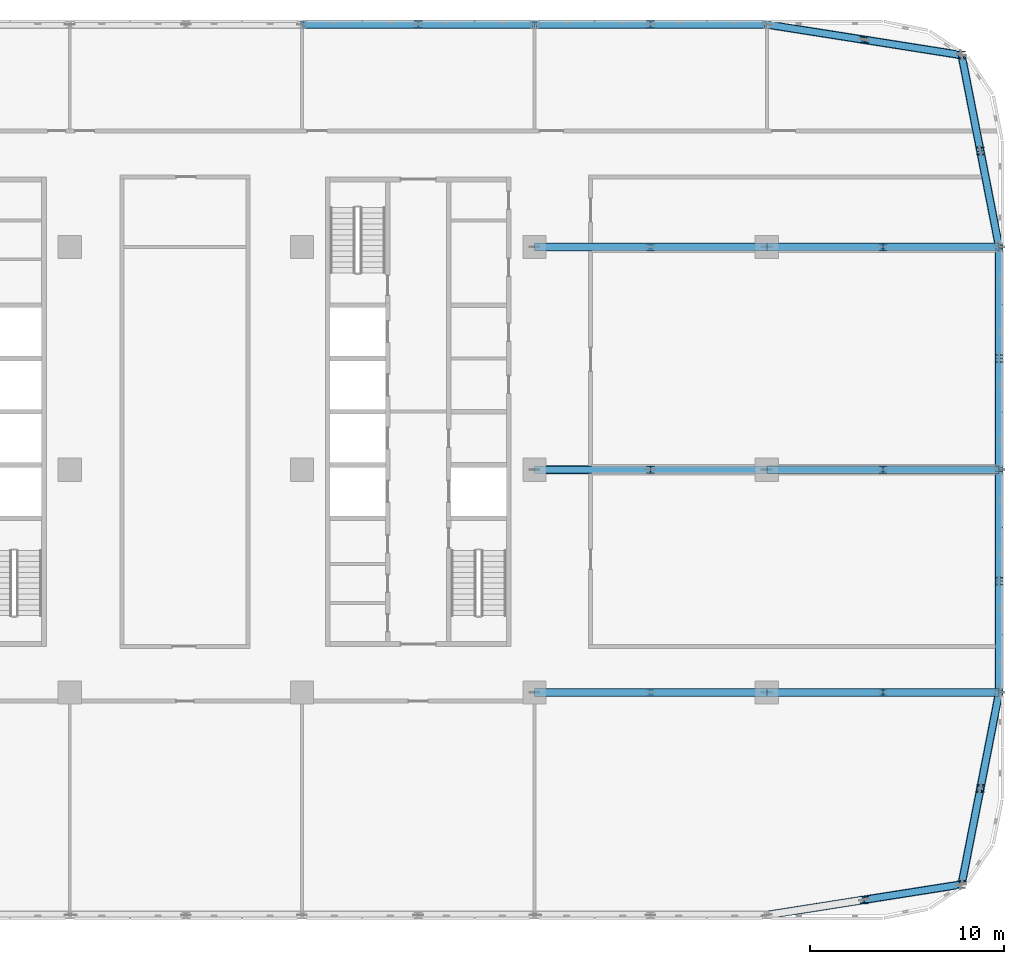
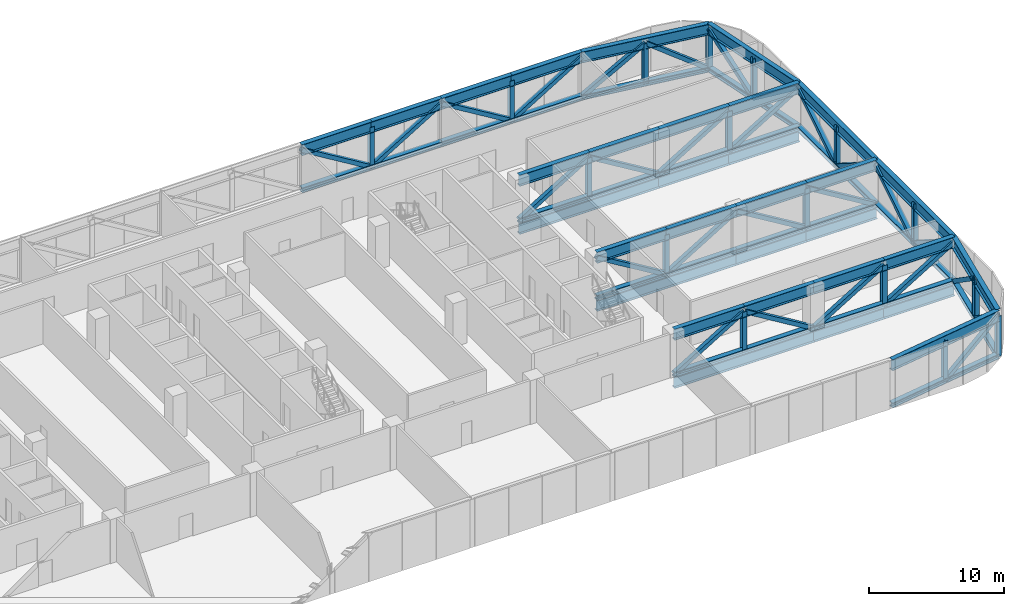
# One storey, part 7 of 26: 82 members, 9 beams.
"""IFC4 building model written with IfcOpenShell, lengths in metres."""

from ifc_helpers import new_model, si_unit, direction, frame, origin, origin_2d, place, context, subcontext, project, spatial, hollow_rectangle, i_section, extrude, material, material_profile, profile_set, type_object, element, save


model = new_model("IFC4")

# Units and contexts
model_context = context("Model", 3, precision=1e-05, world=origin(), true_north=direction((0.0, 1.0)))
body_context = subcontext(model_context, "Body", "Model", "MODEL_VIEW")
ifc_project = project(units=[si_unit("LENGTHUNIT", "METRE"), si_unit("AREAUNIT", "SQUARE_METRE"), si_unit("VOLUMEUNIT", "CUBIC_METRE"), si_unit("PLANEANGLEUNIT", "RADIAN"), si_unit("MASSUNIT", "GRAM", prefix="KILO")], contexts=[model_context])

# Site, building, storey
site_placement = place(None, origin())
site = spatial("IfcSite", under=ifc_project, at=site_placement, CompositionType="ELEMENT")
building_placement = place(site_placement, origin())
building = spatial("IfcBuilding", under=site, at=building_placement, Name="Mahtab Terrace Research Tower", CompositionType="ELEMENT")
storey_placement = place(building_placement, frame((0.0, 0.0, 189.60009765625)))
storey = spatial("IfcBuildingStorey", under=building, at=storey_placement, Name="L45", CompositionType="ELEMENT", Elevation=189.60009765625)

# Members
ifc_material_1 = material(Name="Steel ASTM A500 Gr C", Category="steel")
ifc_material_profile_1 = material_profile(ifc_material_1, hollow_rectangle(XDim=0.355712890625, YDim=0.355712890625, WallThickness=0.015869140625, at=origin_2d()), Name="HSS14X14X5/8")
ifc_profile_set_1 = profile_set([ifc_material_profile_1], Name="Steel ASTM A500 Gr C")
member_type_1 = type_object("IfcMemberType", Name="HSS 14x14x5/8 brace TD141458", PredefinedType="BRACE", material=ifc_profile_set_1)
for number, where, z_axis, x_axis, name in (
    (1, (24.0, 23.0, -0.177734375), (-0.855144546512, 0.0, 0.518389626218), (0.0, -1.0, 0.0), "Transfer truss T5 diagonal 051"),
    (2, (30.0, -11.5, -0.177734375), (0.855144546512, 0.0, 0.518389626218), (0.0, 1.0, 0.0), "Transfer truss T5 diagonal 053"),
    (3, (36.0, 0.0, -0.177734375), (-0.855144546512, 0.0, 0.518389626218), (0.0, -1.0, 0.0), "Transfer truss T5 diagonal 054"),
    (4, (30.0, 11.5, -0.177734375), (0.855144546512, 0.0, 0.518389626218), (0.0, 1.0, 0.0), "Transfer truss T5 diagonal 055"),
    (5, (24.0, 23.0, -0.177734375), (0.855144546512, 0.0, 0.518389626218), (0.0, 1.0, 0.0), "Transfer truss T5 diagonal 056"),
    (6, (42.0, -11.5, -0.177734375), (-0.855144546512, 0.0, 0.518389626218), (0.0, -1.0, 0.0), "Transfer truss T5 diagonal 058"),
    (7, (36.0, 0.0, -0.177734375), (0.855144546512, 0.0, 0.518389626218), (0.0, 1.0, 0.0), "Transfer truss T5 diagonal 059"),
    (8, (42.0, 11.5, -0.177734375), (-0.855144546512, 0.0, 0.518389626218), (0.0, -1.0, 0.0), "Transfer truss T5 diagonal 060"),
    (9, (36.0, 23.0, -0.177734375), (-0.855144546512, 0.0, 0.518389626218), (0.0, -1.0, 0.0), "Transfer truss T5 diagonal 061"),
    (10, (42.0, -11.5, -0.177734375), (0.855144546512, 0.0, 0.518389626218), (0.0, 1.0, 0.0), "Transfer truss T5 diagonal 063"),
    (11, (48.0, 0.0, -0.177734375), (-0.855144546512, 0.0, 0.518389626218), (0.0, -1.0, 0.0), "Transfer truss T5 diagonal 064"),
    (12, (42.0, 11.5, -0.177734375), (0.855144546512, 0.0, 0.518389626218), (0.0, 1.0, 0.0), "Transfer truss T5 diagonal 065"),
    (13, (36.0, 23.0, -0.177734375), (0.855144546512, 0.0, 0.518389626218), (0.0, 1.0, 0.0), "Transfer truss T5 diagonal 066"),
):
    element("IfcMember", number, at=place(storey_placement, frame(where, z_axis=z_axis, x_axis=x_axis)), inside=storey, type_object=member_type_1, Name=name, PredefinedType="BRACE", context=body_context, shape_type="SweptSolid", body=[
        extrude(hollow_rectangle(XDim=0.355712890625, YDim=0.355712890625, WallThickness=0.015869140625, at=origin_2d()), origin(), (0.0, 0.0, 1.0), 7.016357421875),
    ])
for number, where, z_axis, x_axis, name in (
    (14, (47.031005859375, -22.2080078125, -0.177734375), (0.803880768262, 0.126548707344, 0.581172207773), (-0.155507156777, 0.987834765632, 0.0), "Transfer truss T5 diagonal 067"),
    (15, (42.0, 23.0, -0.177734375), (0.803880768262, -0.126548707344, 0.581172207773), (0.155507156777, 0.987834765632, 0.0), "Transfer truss T5 diagonal 068"),
):
    element("IfcMember", number, at=place(storey_placement, frame(where, z_axis=z_axis, x_axis=x_axis)), inside=storey, type_object=member_type_1, Name=name, PredefinedType="BRACE", context=body_context, shape_type="SweptSolid", body=[
        extrude(hollow_rectangle(XDim=0.355712890625, YDim=0.355712890625, WallThickness=0.015869140625, at=origin_2d()), origin(), (0.0, 0.0, 1.0), 6.25830078125),
    ])
for number, where, z_axis, x_axis, name in (
    (16, (48.0, -11.5, -0.177734375), (0.855144546512, 0.0, 0.518389626218), (0.0, 1.0, 0.0), "Transfer truss T5 diagonal 069"),
    (17, (54.0, 0.0, -0.177734375), (-0.855144546512, 0.0, 0.518389626218), (0.0, -1.0, 0.0), "Transfer truss T5 diagonal 070"),
    (18, (48.0, 11.5, -0.177734375), (0.855144546512, 0.0, 0.518389626218), (0.0, 1.0, 0.0), "Transfer truss T5 diagonal 071"),
):
    element("IfcMember", number, at=place(storey_placement, frame(where, z_axis=z_axis, x_axis=x_axis)), inside=storey, type_object=member_type_1, Name=name, PredefinedType="BRACE", context=body_context, shape_type="SweptSolid", body=[
        extrude(hollow_rectangle(XDim=0.355712890625, YDim=0.355712890625, WallThickness=0.015869140625, at=origin_2d()), origin(), (0.0, 0.0, 1.0), 7.016357421875),
    ])
member_1_placement = place(storey_placement, frame((53.031005859375, -16.4580078125, -0.177734375), z_axis=(-0.1556628319, -0.79647286224, 0.584294499786), x_axis=(0.981431833016, -0.191811253951, 0.0)))
element("IfcMember", 19, at=member_1_placement, inside=storey, type_object=member_type_1, Name="Transfer truss T5 diagonal 072", PredefinedType="BRACE", context=body_context, shape_type="SweptSolid", body=[
    extrude(hollow_rectangle(XDim=0.355712890625, YDim=0.355712890625, WallThickness=0.015869140625, at=origin_2d()), origin(), (0.0, 0.0, 1.0), 6.224853515625),
])
member_2_placement = place(storey_placement, frame((52.06201171875, 21.416015625, -0.177734375), z_axis=(-0.803880768262, 0.126548707344, 0.581172207773), x_axis=(-0.155507156777, -0.987834765632, 0.0)))
element("IfcMember", 20, at=member_2_placement, inside=storey, type_object=member_type_1, Name="Transfer truss T5 diagonal 073", PredefinedType="BRACE", context=body_context, shape_type="SweptSolid", body=[
    extrude(hollow_rectangle(XDim=0.355712890625, YDim=0.355712890625, WallThickness=0.015869140625, at=origin_2d()), origin(), (0.0, 0.0, 1.0), 6.25830078125),
])
for number, where, z_axis, x_axis, name in (
    (21, (54.0, -11.5, -0.177734375), (-0.1556628319, -0.79647286224, 0.584294499786), (0.981431833016, -0.191811253951, 0.0), "Transfer truss T5 diagonal 074"),
    (22, (53.031005859375, 16.4580078125, -0.177734375), (-0.1556628319, 0.79647286224, 0.584294499786), (-0.981431833016, -0.191811253951, 0.0), "Transfer truss T5 diagonal 075"),
):
    element("IfcMember", number, at=place(storey_placement, frame(where, z_axis=z_axis, x_axis=x_axis)), inside=storey, type_object=member_type_1, Name=name, PredefinedType="BRACE", context=body_context, shape_type="SweptSolid", body=[
        extrude(hollow_rectangle(XDim=0.355712890625, YDim=0.355712890625, WallThickness=0.015869140625, at=origin_2d()), origin(), (0.0, 0.0, 1.0), 6.224853515625),
    ])
for number, where, z_axis, x_axis, name in (
    (23, (54.0, -5.75, -0.177734375), (0.0, -0.845115229352, 0.534584183377), (1.0, 0.0, 0.0), "Transfer truss T5 diagonal 076"),
    (24, (54.0, -5.75, -0.177734375), (0.0, 0.845115229352, 0.534584183377), (-1.0, 0.0, 0.0), "Transfer truss T5 diagonal 077"),
    (25, (54.0, 5.75, -0.177734375), (0.0, -0.845115229352, 0.534584183377), (1.0, 0.0, 0.0), "Transfer truss T5 diagonal 078"),
    (26, (54.0, 5.75, -0.177734375), (0.0, 0.845115229352, 0.534584183377), (-1.0, 0.0, 0.0), "Transfer truss T5 diagonal 079"),
):
    element("IfcMember", number, at=place(storey_placement, frame(where, z_axis=z_axis, x_axis=x_axis)), inside=storey, type_object=member_type_1, Name=name, PredefinedType="BRACE", context=body_context, shape_type="SweptSolid", body=[
        extrude(hollow_rectangle(XDim=0.355712890625, YDim=0.355712890625, WallThickness=0.015869140625, at=origin_2d()), origin(), (0.0, 0.0, 1.0), 6.8037109375),
    ])
member_3_placement = place(storey_placement, frame((53.031005859375, 16.4580078125, -0.177734375), z_axis=(0.1556628319, -0.79647286224, 0.584294499786), x_axis=(0.981431833016, 0.191811253951, 0.0)))
element("IfcMember", 27, at=member_3_placement, inside=storey, type_object=member_type_1, Name="Transfer truss T5 diagonal 080", PredefinedType="BRACE", context=body_context, shape_type="SweptSolid", body=[
    extrude(hollow_rectangle(XDim=0.355712890625, YDim=0.355712890625, WallThickness=0.015869140625, at=origin_2d()), origin(), (0.0, 0.0, 1.0), 6.224853515625),
])
ifc_material_2 = material(Name="Steel ASTM A992 Gr 50", Category="steel")
ifc_material_profile_2 = material_profile(ifc_material_2, i_section(OverallWidth=0.396240234375, OverallDepth=0.381103515625, WebThickness=0.018798828125, FlangeThickness=0.0302734375, at=origin_2d()), Name="W14X159")
ifc_profile_set_2 = profile_set([ifc_material_profile_2], Name="Steel ASTM A992 Gr 50")
member_type_2 = type_object("IfcMemberType", Name="W14x159 post TP14159", PredefinedType="POST", material=ifc_profile_set_2)
for number, where, z_axis, x_axis, name in (
    (28, (24.0, 23.0, -0.177734375), (0.0, 0.0, 1.0), (1.0, 0.0, 0.0), "Transfer truss T5 post 048"),
    (29, (36.0, -11.5, -0.177734375), (0.0, 0.0, 1.0), (1.0, 0.0, 0.0), "Transfer truss T5 post 055"),
    (30, (36.0, 0.0, -0.177734375), (0.0, 0.0, 1.0), (1.0, 0.0, 0.0), "Transfer truss T5 post 056"),
    (31, (36.0, 11.5, -0.177734375), (0.0, 0.0, 1.0), (1.0, 0.0, 0.0), "Transfer truss T5 post 057"),
    (32, (36.0, 23.0, -0.177734375), (0.0, 0.0, 1.0), (1.0, 0.0, 0.0), "Transfer truss T5 post 058"),
    (33, (47.030029296875, -22.2099609375, -0.177734375), (0.0, 0.0, 1.0), (1.0, 0.0, 0.0), "Transfer truss T5 post 064"),
    (34, (47.030029296875, 22.2099609375, -0.177734375), (0.0, 0.0, 1.0), (1.0, 0.0, 0.0), "Transfer truss T5 post 065"),
    (35, (48.0, -11.5, -0.177734375), (0.0, 0.0, 1.0), (1.0, 0.0, 0.0), "Transfer truss T5 post 066"),
    (36, (48.0, 0.0, -0.177734375), (0.0, 0.0, 1.0), (1.0, 0.0, 0.0), "Transfer truss T5 post 067"),
    (37, (48.0, 11.5, -0.177734375), (0.0, 0.0, 1.0), (1.0, 0.0, 0.0), "Transfer truss T5 post 068"),
    (38, (52.06005859375, -21.419921875, -0.177734375), (0.0, 0.0, 1.0), (1.0, 0.0, 0.0), "Transfer truss T5 post 069"),
    (39, (52.06005859375, 21.419921875, -0.177734375), (0.0, 0.0, 1.0), (1.0, 0.0, 0.0), "Transfer truss T5 post 070"),
    (40, (53.030029296875, -16.4599609375, -0.177734375), (0.0, 0.0, 1.0), (1.0, 0.0, 0.0), "Transfer truss T5 post 071"),
    (41, (53.030029296875, 16.4599609375, -0.177734375), (0.0, 0.0, 1.0), (1.0, 0.0, 0.0), "Transfer truss T5 post 072"),
    (42, (54.0, -5.75, -0.177734375), (0.0, 0.0, 1.0), (1.0, 0.0, 0.0), "Transfer truss T5 post 074"),
    (43, (54.0, 5.75, -0.177734375), (0.0, 0.0, 1.0), (1.0, 0.0, 0.0), "Transfer truss T5 post 076"),
):
    element("IfcMember", number, at=place(storey_placement, frame(where, z_axis=z_axis, x_axis=x_axis)), inside=storey, type_object=member_type_2, Name=name, PredefinedType="POST", context=body_context, shape_type="SweptSolid", body=[
        extrude(i_section(OverallWidth=0.396240234375, OverallDepth=0.381103515625, WebThickness=0.018798828125, FlangeThickness=0.0302734375, at=origin_2d()), origin(), (0.0, 0.0, 1.0), 3.63720703125),
    ])
ifc_material_profile_3 = material_profile(ifc_material_2, i_section(OverallWidth=0.41650390625, OverallDepth=0.444580078125, WebThickness=0.0390625, FlangeThickness=0.062744140625, at=origin_2d()), Name="W14X342")
ifc_profile_set_3 = profile_set([ifc_material_profile_3], Name="Steel ASTM A992 Gr 50")
member_type_3 = type_object("IfcMemberType", Name="W14x342 chord TC14342", PredefinedType="CHORD", material=ifc_profile_set_3)
for number, where, z_axis, x_axis, name in (
    (44, (42.0, 23.0, -0.177734375), (-1.0, 0.0, 0.0), (0.0, -1.0, 0.0), "Transfer truss T5 bottom chord 026"),
    (45, (30.0, 23.0, -0.177734375), (-1.0, 0.0, 0.0), (0.0, -1.0, 0.0), "Transfer truss T5 bottom chord 027"),
    (46, (30.0, -11.5, -0.177734375), (1.0, 0.0, 0.0), (0.0, 1.0, 0.0), "Transfer truss T5 bottom chord 032"),
):
    element("IfcMember", number, at=place(storey_placement, frame(where, z_axis=z_axis, x_axis=x_axis)), inside=storey, type_object=member_type_3, Name=name, PredefinedType="CHORD", context=body_context, shape_type="SweptSolid", body=[
        extrude(i_section(OverallWidth=0.41650390625, OverallDepth=0.444580078125, WebThickness=0.0390625, FlangeThickness=0.062744140625, at=origin_2d()), origin(), (0.0, 0.0, 1.0), 12.0),
    ])
for number, where, z_axis, x_axis, name in (
    (47, (42.0, -11.5, -0.177734375), (1.0, 0.0, 0.0), (0.0, 1.0, 0.0), "Transfer truss T5 bottom chord 033"),
    (48, (48.0, -11.5, -0.177734375), (1.0, 0.0, 0.0), (0.0, 1.0, 0.0), "Transfer truss T5 bottom chord 034"),
):
    element("IfcMember", number, at=place(storey_placement, frame(where, z_axis=z_axis, x_axis=x_axis)), inside=storey, type_object=member_type_3, Name=name, PredefinedType="CHORD", context=body_context, shape_type="SweptSolid", body=[
        extrude(i_section(OverallWidth=0.41650390625, OverallDepth=0.444580078125, WebThickness=0.0390625, FlangeThickness=0.062744140625, at=origin_2d()), origin(), (0.0, 0.0, 1.0), 6.0),
    ])
member_4_placement = place(storey_placement, frame((30.0, 0.0, -0.177734375), z_axis=(1.0, 0.0, 0.0), x_axis=(0.0, 1.0, 0.0)))
element("IfcMember", 49, at=member_4_placement, inside=storey, type_object=member_type_3, Name="Transfer truss T5 bottom chord 035", PredefinedType="CHORD", context=body_context, shape_type="SweptSolid", body=[
    extrude(i_section(OverallWidth=0.41650390625, OverallDepth=0.444580078125, WebThickness=0.0390625, FlangeThickness=0.062744140625, at=origin_2d()), origin(), (0.0, 0.0, 1.0), 12.0),
])
for number, where, z_axis, x_axis, name in (
    (50, (42.0, 0.0, -0.177734375), (1.0, 0.0, 0.0), (0.0, 1.0, 0.0), "Transfer truss T5 bottom chord 036"),
    (51, (48.0, 0.0, -0.177734375), (1.0, 0.0, 0.0), (0.0, 1.0, 0.0), "Transfer truss T5 bottom chord 037"),
):
    element("IfcMember", number, at=place(storey_placement, frame(where, z_axis=z_axis, x_axis=x_axis)), inside=storey, type_object=member_type_3, Name=name, PredefinedType="CHORD", context=body_context, shape_type="SweptSolid", body=[
        extrude(i_section(OverallWidth=0.41650390625, OverallDepth=0.444580078125, WebThickness=0.0390625, FlangeThickness=0.062744140625, at=origin_2d()), origin(), (0.0, 0.0, 1.0), 6.0),
    ])
member_5_placement = place(storey_placement, frame((30.0, 11.5, -0.177734375), z_axis=(1.0, 0.0, 0.0), x_axis=(0.0, 1.0, 0.0)))
element("IfcMember", 52, at=member_5_placement, inside=storey, type_object=member_type_3, Name="Transfer truss T5 bottom chord 038", PredefinedType="CHORD", context=body_context, shape_type="SweptSolid", body=[
    extrude(i_section(OverallWidth=0.41650390625, OverallDepth=0.444580078125, WebThickness=0.0390625, FlangeThickness=0.062744140625, at=origin_2d()), origin(), (0.0, 0.0, 1.0), 12.0),
])
for number, where, z_axis, x_axis, name in (
    (53, (42.0, 11.5, -0.177734375), (1.0, 0.0, 0.0), (0.0, 1.0, 0.0), "Transfer truss T5 bottom chord 039"),
    (54, (48.0, 11.5, -0.177734375), (1.0, 0.0, 0.0), (0.0, 1.0, 0.0), "Transfer truss T5 bottom chord 040"),
):
    element("IfcMember", number, at=place(storey_placement, frame(where, z_axis=z_axis, x_axis=x_axis)), inside=storey, type_object=member_type_3, Name=name, PredefinedType="CHORD", context=body_context, shape_type="SweptSolid", body=[
        extrude(i_section(OverallWidth=0.41650390625, OverallDepth=0.444580078125, WebThickness=0.0390625, FlangeThickness=0.062744140625, at=origin_2d()), origin(), (0.0, 0.0, 1.0), 6.0),
    ])
for number, where, z_axis, x_axis, name in (
    (55, (42.0, -23.0, -0.177734375), (0.987834765632, 0.155507156777, 0.0), (-0.155507156777, 0.987834765632, 0.0), "Transfer truss T5 bottom chord 041"),
    (56, (52.06201171875, 21.416015625, -0.177734375), (-0.987834765632, 0.155507156777, 0.0), (-0.155507156777, -0.987834765632, 0.0), "Transfer truss T5 bottom chord 042"),
):
    element("IfcMember", number, at=place(storey_placement, frame(where, z_axis=z_axis, x_axis=x_axis)), inside=storey, type_object=member_type_3, Name=name, PredefinedType="CHORD", context=body_context, shape_type="SweptSolid", body=[
        extrude(i_section(OverallWidth=0.41650390625, OverallDepth=0.444580078125, WebThickness=0.0390625, FlangeThickness=0.062744140625, at=origin_2d()), origin(), (0.0, 0.0, 1.0), 10.18603515625),
    ])
for number, where, z_axis, x_axis, name in (
    (57, (52.06201171875, -21.416015625, -0.177734375), (0.191811253951, 0.981431833016, 0.0), (-0.981431833016, 0.191811253951, 0.0), "Transfer truss T5 bottom chord 043"),
    (58, (54.0, 11.5, -0.177734375), (-0.191811253951, 0.981431833016, 0.0), (-0.981431833016, -0.191811253951, 0.0), "Transfer truss T5 bottom chord 044"),
):
    element("IfcMember", number, at=place(storey_placement, frame(where, z_axis=z_axis, x_axis=x_axis)), inside=storey, type_object=member_type_3, Name=name, PredefinedType="CHORD", context=body_context, shape_type="SweptSolid", body=[
        extrude(i_section(OverallWidth=0.41650390625, OverallDepth=0.444580078125, WebThickness=0.0390625, FlangeThickness=0.062744140625, at=origin_2d()), origin(), (0.0, 0.0, 1.0), 10.103515625),
    ])
for number, where, z_axis, x_axis, name in (
    (59, (54.0, -11.5, -0.177734375), (0.0, 1.0, 0.0), (-1.0, 0.0, 0.0), "Transfer truss T5 bottom chord 045"),
    (60, (54.0, 0.0, -0.177734375), (0.0, 1.0, 0.0), (-1.0, 0.0, 0.0), "Transfer truss T5 bottom chord 046"),
):
    element("IfcMember", number, at=place(storey_placement, frame(where, z_axis=z_axis, x_axis=x_axis)), inside=storey, type_object=member_type_3, Name=name, PredefinedType="CHORD", context=body_context, shape_type="SweptSolid", body=[
        extrude(i_section(OverallWidth=0.41650390625, OverallDepth=0.444580078125, WebThickness=0.0390625, FlangeThickness=0.062744140625, at=origin_2d()), origin(), (0.0, 0.0, 1.0), 11.5),
    ])
ifc_material_profile_4 = material_profile(ifc_material_2, i_section(OverallWidth=0.4013671875, OverallDepth=1.000732421875, WebThickness=0.01904296875, FlangeThickness=0.0361328125, at=origin_2d()), Name="W40X249")
ifc_profile_set_4 = profile_set([ifc_material_profile_4], Name="Steel ASTM A992 Gr 50")
member_type_4 = type_object("IfcMemberType", Name="W40x249 chord TT40249", PredefinedType="CHORD", material=ifc_profile_set_4)
for number, where, z_axis, x_axis, name in (
    (61, (42.0, 23.0, 3.45947265625), (-1.0, 0.0, 0.0), (0.0, -1.0, 0.0), "Transfer truss T5 top chord 035"),
    (62, (36.0, 23.0, 3.45947265625), (-1.0, 0.0, 0.0), (0.0, -1.0, 0.0), "Transfer truss T5 top chord 036"),
    (63, (30.0, 23.0, 3.45947265625), (-1.0, 0.0, 0.0), (0.0, -1.0, 0.0), "Transfer truss T5 top chord 037"),
    (64, (24.0, 23.0, 3.45947265625), (-1.0, 0.0, 0.0), (0.0, -1.0, 0.0), "Transfer truss T5 top chord 038"),
    (65, (30.0, -11.5, 3.45947265625), (1.0, 0.0, 0.0), (0.0, 1.0, 0.0), "Transfer truss T5 top chord 047"),
    (66, (36.0, -11.5, 3.45947265625), (1.0, 0.0, 0.0), (0.0, 1.0, 0.0), "Transfer truss T5 top chord 048"),
    (67, (42.0, -11.5, 3.45947265625), (1.0, 0.0, 0.0), (0.0, 1.0, 0.0), "Transfer truss T5 top chord 049"),
    (68, (48.0, -11.5, 3.45947265625), (1.0, 0.0, 0.0), (0.0, 1.0, 0.0), "Transfer truss T5 top chord 050"),
    (69, (30.0, 0.0, 3.45947265625), (1.0, 0.0, 0.0), (0.0, 1.0, 0.0), "Transfer truss T5 top chord 051"),
    (70, (36.0, 0.0, 3.45947265625), (1.0, 0.0, 0.0), (0.0, 1.0, 0.0), "Transfer truss T5 top chord 052"),
    (71, (42.0, 0.0, 3.45947265625), (1.0, 0.0, 0.0), (0.0, 1.0, 0.0), "Transfer truss T5 top chord 053"),
    (72, (48.0, 0.0, 3.45947265625), (1.0, 0.0, 0.0), (0.0, 1.0, 0.0), "Transfer truss T5 top chord 054"),
    (73, (30.0, 11.5, 3.45947265625), (1.0, 0.0, 0.0), (0.0, 1.0, 0.0), "Transfer truss T5 top chord 055"),
    (74, (36.0, 11.5, 3.45947265625), (1.0, 0.0, 0.0), (0.0, 1.0, 0.0), "Transfer truss T5 top chord 056"),
    (75, (42.0, 11.5, 3.45947265625), (1.0, 0.0, 0.0), (0.0, 1.0, 0.0), "Transfer truss T5 top chord 057"),
    (76, (48.0, 11.5, 3.45947265625), (1.0, 0.0, 0.0), (0.0, 1.0, 0.0), "Transfer truss T5 top chord 058"),
):
    element("IfcMember", number, at=place(storey_placement, frame(where, z_axis=z_axis, x_axis=x_axis)), inside=storey, type_object=member_type_4, Name=name, PredefinedType="CHORD", context=body_context, shape_type="SweptSolid", body=[
        extrude(i_section(OverallWidth=0.4013671875, OverallDepth=1.000732421875, WebThickness=0.01904296875, FlangeThickness=0.0361328125, at=origin_2d()), origin(), (0.0, 0.0, 1.0), 6.0),
    ])
for number, where, z_axis, x_axis, name in (
    (77, (42.0, -23.0, 3.45947265625), (0.987834765632, 0.155507156777, 0.0), (-0.155507156777, 0.987834765632, 0.0), "Transfer truss T5 top chord 059"),
    (78, (52.06201171875, 21.416015625, 3.45947265625), (-0.987834765632, 0.155507156777, 0.0), (-0.155507156777, -0.987834765632, 0.0), "Transfer truss T5 top chord 060"),
):
    element("IfcMember", number, at=place(storey_placement, frame(where, z_axis=z_axis, x_axis=x_axis)), inside=storey, type_object=member_type_4, Name=name, PredefinedType="CHORD", context=body_context, shape_type="SweptSolid", body=[
        extrude(i_section(OverallWidth=0.4013671875, OverallDepth=1.000732421875, WebThickness=0.01904296875, FlangeThickness=0.0361328125, at=origin_2d()), origin(), (0.0, 0.0, 1.0), 10.18603515625),
    ])
for number, where, z_axis, x_axis, name in (
    (79, (52.06201171875, -21.416015625, 3.45947265625), (0.191811253951, 0.981431833016, 0.0), (-0.981431833016, 0.191811253951, 0.0), "Transfer truss T5 top chord 061"),
    (80, (54.0, 11.5, 3.45947265625), (-0.191811253951, 0.981431833016, 0.0), (-0.981431833016, -0.191811253951, 0.0), "Transfer truss T5 top chord 062"),
):
    element("IfcMember", number, at=place(storey_placement, frame(where, z_axis=z_axis, x_axis=x_axis)), inside=storey, type_object=member_type_4, Name=name, PredefinedType="CHORD", context=body_context, shape_type="SweptSolid", body=[
        extrude(i_section(OverallWidth=0.4013671875, OverallDepth=1.000732421875, WebThickness=0.01904296875, FlangeThickness=0.0361328125, at=origin_2d()), origin(), (0.0, 0.0, 1.0), 10.103515625),
    ])
for number, where, z_axis, x_axis, name in (
    (81, (54.0, -11.5, 3.45947265625), (0.0, 1.0, 0.0), (-1.0, 0.0, 0.0), "Transfer truss T5 top chord 063"),
    (82, (54.0, 0.0, 3.45947265625), (0.0, 1.0, 0.0), (-1.0, 0.0, 0.0), "Transfer truss T5 top chord 064"),
):
    element("IfcMember", number, at=place(storey_placement, frame(where, z_axis=z_axis, x_axis=x_axis)), inside=storey, type_object=member_type_4, Name=name, PredefinedType="CHORD", context=body_context, shape_type="SweptSolid", body=[
        extrude(i_section(OverallWidth=0.4013671875, OverallDepth=1.000732421875, WebThickness=0.01904296875, FlangeThickness=0.0361328125, at=origin_2d()), origin(), (0.0, 0.0, 1.0), 11.5),
    ])

# Beams
ifc_material_profile_5 = material_profile(ifc_material_2, i_section(OverallWidth=0.4013671875, OverallDepth=1.000732421875, WebThickness=0.01904296875, FlangeThickness=0.0361328125, at=origin_2d()), Name="W40X249")
ifc_profile_set_5 = profile_set([ifc_material_profile_5], Name="Steel ASTM A992 Gr 50")
beam_type = type_object("IfcBeamType", Name="W40x249 transfer girder TG40249", PredefinedType="BEAM", material=ifc_profile_set_5)
beam_1_placement = place(storey_placement, frame((30.0, -11.5, -0.8984375), z_axis=(1.0, 0.0, 0.0), x_axis=(0.0, 1.0, 0.0)))
element("IfcBeam", 83, at=beam_1_placement, inside=storey, type_object=beam_type, Name="Transfer girder T5 01", PredefinedType="BEAM", context=body_context, shape_type="SweptSolid", body=[
    extrude(i_section(OverallWidth=0.4013671875, OverallDepth=1.000732421875, WebThickness=0.01904296875, FlangeThickness=0.0361328125, at=origin_2d()), origin(), (0.0, 0.0, 1.0), 12.0),
])
for number, where, z_axis, x_axis, name in (
    (84, (42.0, -11.5, -0.8984375), (1.0, 0.0, 0.0), (0.0, 1.0, 0.0), "Transfer girder T5 02"),
    (85, (48.0, -11.5, -0.8984375), (1.0, 0.0, 0.0), (0.0, 1.0, 0.0), "Transfer girder T5 03"),
):
    element("IfcBeam", number, at=place(storey_placement, frame(where, z_axis=z_axis, x_axis=x_axis)), inside=storey, type_object=beam_type, Name=name, PredefinedType="BEAM", context=body_context, shape_type="SweptSolid", body=[
        extrude(i_section(OverallWidth=0.4013671875, OverallDepth=1.000732421875, WebThickness=0.01904296875, FlangeThickness=0.0361328125, at=origin_2d()), origin(), (0.0, 0.0, 1.0), 6.0),
    ])
beam_2_placement = place(storey_placement, frame((30.0, 0.0, -0.8984375), z_axis=(1.0, 0.0, 0.0), x_axis=(0.0, 1.0, 0.0)))
element("IfcBeam", 86, at=beam_2_placement, inside=storey, type_object=beam_type, Name="Transfer girder T5 04", PredefinedType="BEAM", context=body_context, shape_type="SweptSolid", body=[
    extrude(i_section(OverallWidth=0.4013671875, OverallDepth=1.000732421875, WebThickness=0.01904296875, FlangeThickness=0.0361328125, at=origin_2d()), origin(), (0.0, 0.0, 1.0), 12.0),
])
for number, where, z_axis, x_axis, name in (
    (87, (42.0, 0.0, -0.8984375), (1.0, 0.0, 0.0), (0.0, 1.0, 0.0), "Transfer girder T5 05"),
    (88, (48.0, 0.0, -0.8984375), (1.0, 0.0, 0.0), (0.0, 1.0, 0.0), "Transfer girder T5 06"),
):
    element("IfcBeam", number, at=place(storey_placement, frame(where, z_axis=z_axis, x_axis=x_axis)), inside=storey, type_object=beam_type, Name=name, PredefinedType="BEAM", context=body_context, shape_type="SweptSolid", body=[
        extrude(i_section(OverallWidth=0.4013671875, OverallDepth=1.000732421875, WebThickness=0.01904296875, FlangeThickness=0.0361328125, at=origin_2d()), origin(), (0.0, 0.0, 1.0), 6.0),
    ])
beam_3_placement = place(storey_placement, frame((30.0, 11.5, -0.8984375), z_axis=(1.0, 0.0, 0.0), x_axis=(0.0, 1.0, 0.0)))
element("IfcBeam", 89, at=beam_3_placement, inside=storey, type_object=beam_type, Name="Transfer girder T5 07", PredefinedType="BEAM", context=body_context, shape_type="SweptSolid", body=[
    extrude(i_section(OverallWidth=0.4013671875, OverallDepth=1.000732421875, WebThickness=0.01904296875, FlangeThickness=0.0361328125, at=origin_2d()), origin(), (0.0, 0.0, 1.0), 12.0),
])
for number, where, z_axis, x_axis, name in (
    (90, (42.0, 11.5, -0.8984375), (1.0, 0.0, 0.0), (0.0, 1.0, 0.0), "Transfer girder T5 08"),
    (91, (48.0, 11.5, -0.8984375), (1.0, 0.0, 0.0), (0.0, 1.0, 0.0), "Transfer girder T5 09"),
):
    element("IfcBeam", number, at=place(storey_placement, frame(where, z_axis=z_axis, x_axis=x_axis)), inside=storey, type_object=beam_type, Name=name, PredefinedType="BEAM", context=body_context, shape_type="SweptSolid", body=[
        extrude(i_section(OverallWidth=0.4013671875, OverallDepth=1.000732421875, WebThickness=0.01904296875, FlangeThickness=0.0361328125, at=origin_2d()), origin(), (0.0, 0.0, 1.0), 6.0),
    ])

save(model, "model.ifc")
